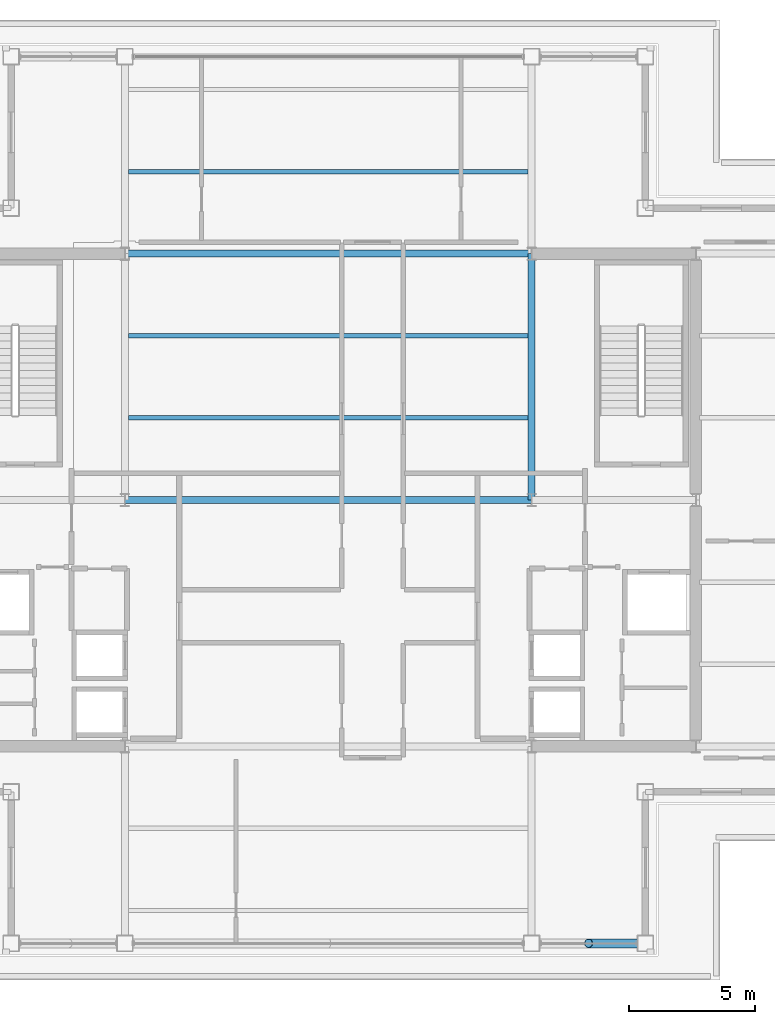
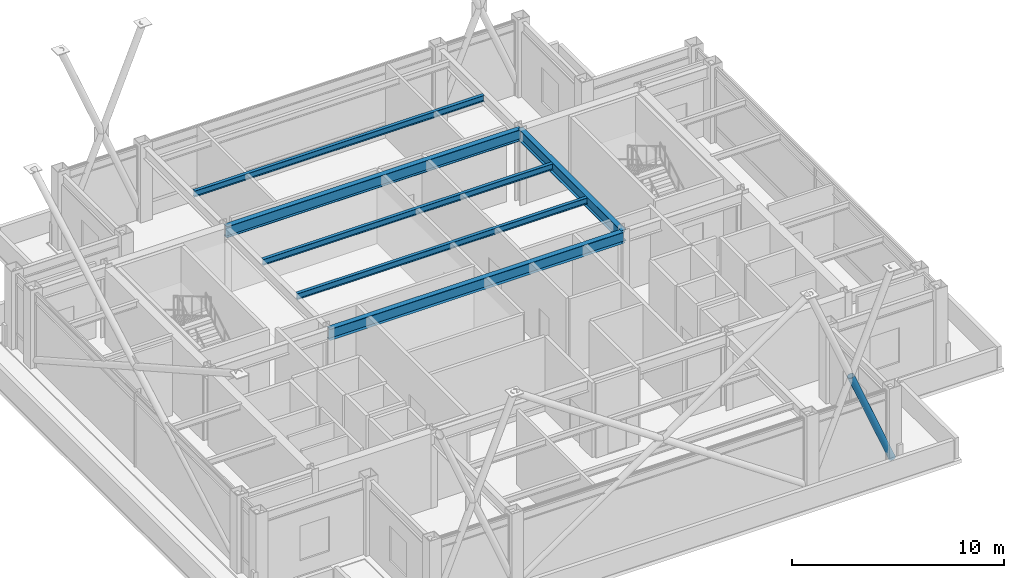
# One storey, part 7 of 19: 6 beams, 1 member.
"""IFC4 building model written with IfcOpenShell, lengths in metres."""

from ifc_helpers import new_model, si_unit, direction, frame, origin, origin_2d, place, context, subcontext, project, spatial, hollow_circle, i_section, extrude, material, material_profile, profile_set, type_object, element, save


model = new_model("IFC4")

# Units and contexts
model_context = context("Model", 3, precision=1e-05, world=origin(), true_north=direction((0.0, 1.0)))
body_context = subcontext(model_context, "Body", "Model", "MODEL_VIEW")
ifc_project = project(units=[si_unit("LENGTHUNIT", "METRE"), si_unit("AREAUNIT", "SQUARE_METRE"), si_unit("VOLUMEUNIT", "CUBIC_METRE"), si_unit("PLANEANGLEUNIT", "RADIAN"), si_unit("MASSUNIT", "GRAM", prefix="KILO")], contexts=[model_context])

# Site, building, storey
site_placement = place(None, origin())
site = spatial("IfcSite", under=ifc_project, at=site_placement, CompositionType="ELEMENT")
building_placement = place(site_placement, origin())
building = spatial("IfcBuilding", under=site, at=building_placement, Name="Brelmoor Portico Tower", CompositionType="ELEMENT")
storey_placement = place(building_placement, frame((0.0, 0.0, 213.89990234375)))
storey = spatial("IfcBuildingStorey", under=building, at=storey_placement, Name="L56", CompositionType="ELEMENT", Elevation=213.89990234375)

# Beams
ifc_material = material(Name="Steel Q355B", Category="steel")
ifc_material_profile_1 = material_profile(ifc_material, i_section(OverallWidth=0.175048828125, OverallDepth=0.35009765625, WebThickness=0.007080078125, FlangeThickness=0.010986328125, at=origin_2d()), Name="HN 350x175x7x11")
ifc_profile_set_1 = profile_set([ifc_material_profile_1], Name="Steel Q355B")
beam_type_1 = type_object("IfcBeamType", Name="BM-JS-350", PredefinedType="JOIST", material=ifc_profile_set_1)
for number, where, z_axis, x_axis, name in (
    (1, (-7.909912109375, 3.25, 4.125), (1.0, 0.0, 0.0), (0.0, 1.0, 0.0), "L56 Secondary Composite Joist JS-C03"),
    (2, (-7.909912109375, 6.5, 4.125), (1.0, 0.0, 0.0), (0.0, 1.0, 0.0), "L56 Secondary Composite Joist JS-C04"),
    (3, (-7.909912109375, 13.0, 4.125), (1.0, 0.0, 0.0), (0.0, 1.0, 0.0), "L56 Secondary Composite Joist JS-C05"),
):
    element("IfcBeam", number, at=place(storey_placement, frame(where, z_axis=z_axis, x_axis=x_axis)), inside=storey, type_object=beam_type_1, Name=name, PredefinedType="JOIST", context=body_context, shape_type="SweptSolid", body=[
        extrude(i_section(OverallWidth=0.175048828125, OverallDepth=0.35009765625, WebThickness=0.007080078125, FlangeThickness=0.010986328125, at=origin_2d()), origin(), (0.0, 0.0, 1.0), 15.81982421875),
    ])
ifc_material_profile_2 = material_profile(ifc_material, i_section(OverallWidth=0.280029296875, OverallDepth=0.64990234375, WebThickness=0.012939453125, FlangeThickness=0.02197265625, at=origin_2d()), Name="HN 650x280x13x22")
ifc_profile_set_2 = profile_set([ifc_material_profile_2], Name="Steel Q355B")
beam_type_2 = type_object("IfcBeamType", Name="BM-PG-650", PredefinedType="BEAM", material=ifc_profile_set_2)
beam_placement = place(storey_placement, frame((8.050048828125, 0.0, 3.97509765625), z_axis=(0.0, 1.0, 0.0), x_axis=(-1.0, 0.0, 0.0)))
element("IfcBeam", 4, at=beam_placement, inside=storey, type_object=beam_type_2, Name="L56 Primary Floor Girder PG-07", PredefinedType="BEAM", context=body_context, shape_type="SweptSolid", body=[
    extrude(i_section(OverallWidth=0.280029296875, OverallDepth=0.64990234375, WebThickness=0.012939453125, FlangeThickness=0.02197265625, at=origin_2d()), origin(), (0.0, 0.0, 1.0), 9.75),
])
for number, where, z_axis, x_axis, name in (
    (5, (-8.050048828125, 0.0, 3.97509765625), (1.0, 0.0, 0.0), (0.0, 1.0, 0.0), "L56 Primary Floor Girder PG-17"),
    (6, (-8.050048828125, 9.75, 3.97509765625), (1.0, 0.0, 0.0), (0.0, 1.0, 0.0), "L56 Primary Floor Girder PG-21"),
):
    element("IfcBeam", number, at=place(storey_placement, frame(where, z_axis=z_axis, x_axis=x_axis)), inside=storey, type_object=beam_type_2, Name=name, PredefinedType="BEAM", context=body_context, shape_type="SweptSolid", body=[
        extrude(i_section(OverallWidth=0.280029296875, OverallDepth=0.64990234375, WebThickness=0.012939453125, FlangeThickness=0.02197265625, at=origin_2d()), origin(), (0.0, 0.0, 1.0), 16.10009765625),
    ])

# Member
ifc_material_profile_3 = material_profile(ifc_material, hollow_circle(Radius=0.177978515625, WallThickness=0.01611328125, at=origin_2d()), Name="CHS 356x16")
ifc_profile_set_3 = profile_set([ifc_material_profile_3], Name="Steel Q355B")
member_type = type_object("IfcMemberType", Name="MB-BELT-DIAG2", PredefinedType="BRACE", material=ifc_profile_set_3)
member_placement = place(storey_placement, frame((12.550048828125, -17.550048828125, 0.25), z_axis=(-0.378632845721, 0.0, 0.925546956206), x_axis=(0.0, -1.0, 0.0)))
element("IfcMember", 7, at=member_placement, inside=storey, type_object=member_type, Name="L56 Split Mega-X Brace 129B1", PredefinedType="BRACE", context=body_context, shape_type="SweptSolid", body=[
    extrude(hollow_circle(Radius=0.177978515625, WallThickness=0.01611328125, at=origin_2d()), origin(), (0.0, 0.0, 1.0), 5.9423828125),
])

save(model, "model.ifc")
